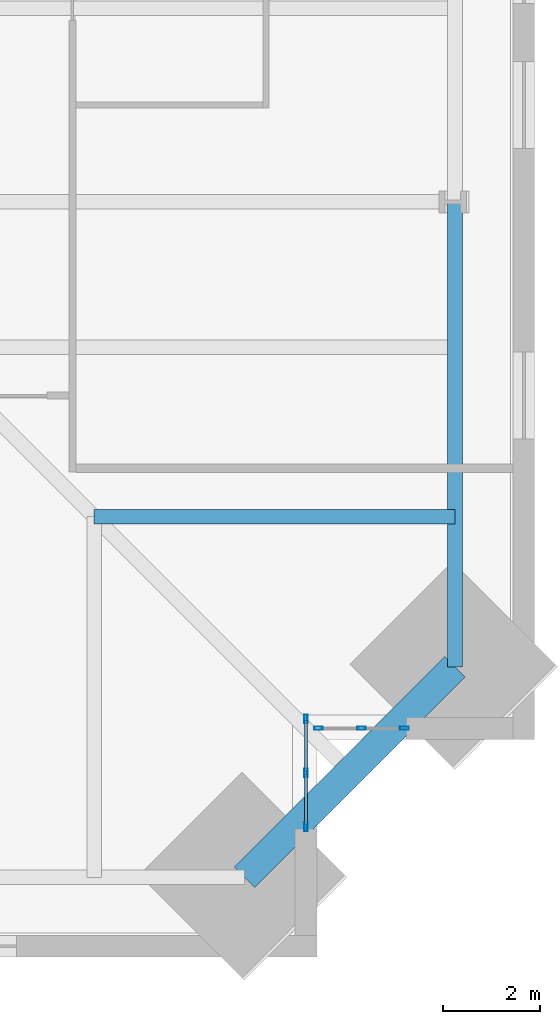
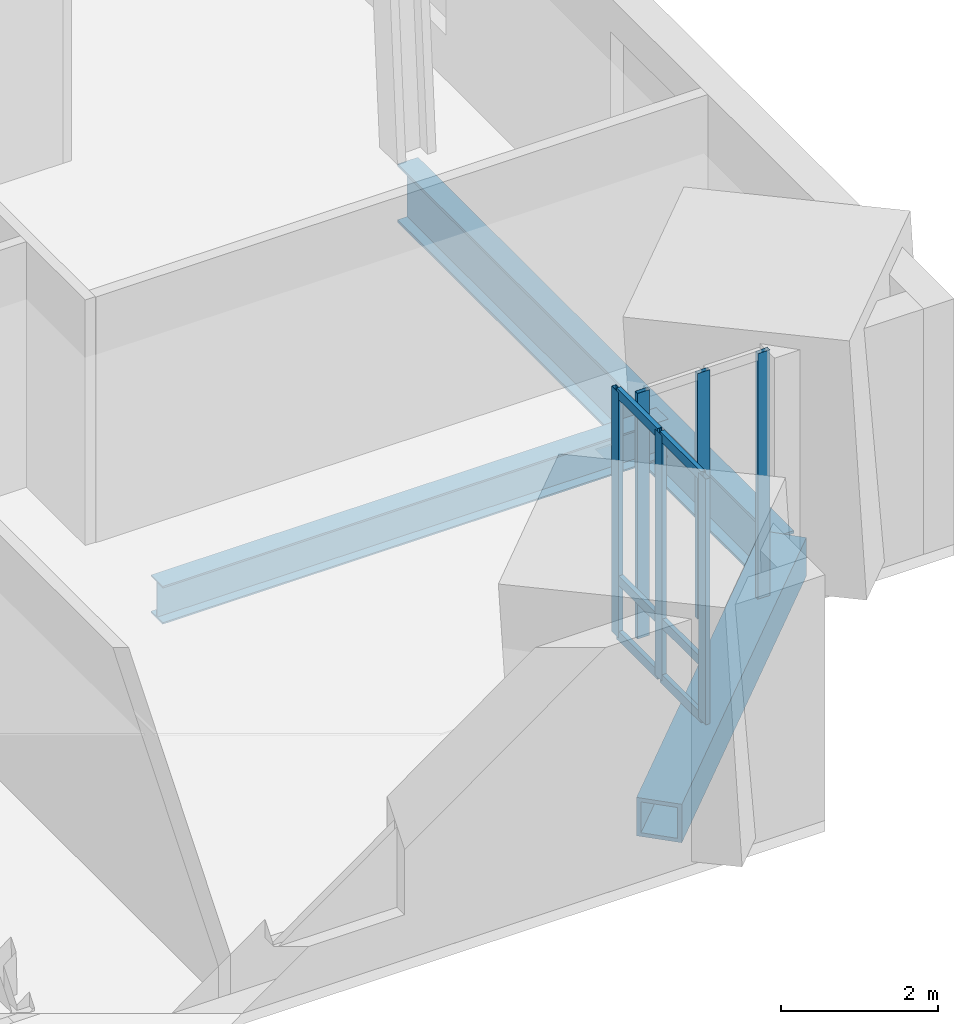
# One storey, part 4 of 14: 12 members, 3 beams, 2 elements without a shape of their own.
"""IFC4 building model written with IfcOpenShell, lengths in metres."""

from ifc_helpers import new_model, si_unit, direction, frame, origin, origin_2d, place, context, subcontext, project, spatial, hollow_rectangle, i_section, extrude, material, material_profile, profile_set, type_object, element, aggregate, save


model = new_model("IFC4")

# Units and contexts
model_context = context("Model", 3, precision=1e-05, world=origin(), true_north=direction((0.0, 1.0)))
body_context = subcontext(model_context, "Body", "Model", "MODEL_VIEW")
ifc_project = project(units=[si_unit("LENGTHUNIT", "METRE"), si_unit("AREAUNIT", "SQUARE_METRE"), si_unit("VOLUMEUNIT", "CUBIC_METRE"), si_unit("PLANEANGLEUNIT", "RADIAN"), si_unit("MASSUNIT", "GRAM", prefix="KILO")], contexts=[model_context])

# Site, building, storey
site_placement = place(None, origin())
site = spatial("IfcSite", under=ifc_project, at=site_placement, CompositionType="ELEMENT")
building_placement = place(site_placement, origin())
building = spatial("IfcBuilding", under=site, at=building_placement, Name="Peilmerk Tower", CompositionType="ELEMENT")
storey_placement = place(building_placement, frame((0.0, 0.0, 221.800048828125)))
storey = spatial("IfcBuildingStorey", under=building, at=storey_placement, Name="L48", CompositionType="ELEMENT", Elevation=221.800048828125)

# Beams
ifc_material_1 = material(Name="Steel S355", Category="steel")
ifc_material_profile_1 = material_profile(ifc_material_1, i_section(OverallWidth=0.302001953125, OverallDepth=0.909912109375, WebThickness=0.02099609375, FlangeThickness=0.0400390625, at=origin_2d()), Name="HEM 900")
ifc_profile_set_1 = profile_set([ifc_material_profile_1], Name="Steel S355")
beam_type_1 = type_object("IfcBeamType", Name="B2 HEM 900 edge beam", PredefinedType="SPANDREL", material=ifc_profile_set_1)
beam_1_placement = place(storey_placement, frame((21.953125, -17.603271484375, -0.625), z_axis=(0.0, 1.0, 0.0), x_axis=(-1.0, 0.0, 0.0)))
element("IfcBeam", 1, at=beam_1_placement, inside=storey, type_object=beam_type_1, Name="Edge beam L48", PredefinedType="SPANDREL", context=body_context, shape_type="SweptSolid", body=[
    extrude(i_section(OverallWidth=0.302001953125, OverallDepth=0.909912109375, WebThickness=0.02099609375, FlangeThickness=0.0400390625, at=origin_2d()), origin(), (0.0, 0.0, 1.0), 9.603271484375),
])
ifc_material_2 = material(Name="Steel S460", Category="steel")
ifc_material_profile_2 = material_profile(ifc_material_2, hollow_rectangle(XDim=0.60009765625, YDim=0.60009765625, WallThickness=0.06005859375, at=origin_2d()), Name="BOX 600x600x60")
ifc_profile_set_2 = profile_set([ifc_material_profile_2], Name="Steel S460")
beam_type_2 = type_object("IfcBeamType", Name="B20 BOX 600x600x60 notch beam", PredefinedType="SPANDREL", material=ifc_profile_set_2)
beam_2_placement = place(storey_placement, frame((21.953125, -17.603271484375, -0.469970703125), z_axis=(-0.707106781187, -0.707106781187, 0.0), x_axis=(0.707106781187, -0.707106781187, 0.0)))
element("IfcBeam", 2, at=beam_2_placement, inside=storey, type_object=beam_type_2, Name="Notch beam L48", PredefinedType="SPANDREL", context=body_context, shape_type="SweptSolid", body=[
    extrude(hollow_rectangle(XDim=0.60009765625, YDim=0.60009765625, WallThickness=0.06005859375, at=origin_2d()), origin(), (0.0, 0.0, 1.0), 6.151611328125),
])
ifc_material_profile_3 = material_profile(ifc_material_1, i_section(OverallWidth=0.300048828125, OverallDepth=0.590087890625, WebThickness=0.012939453125, FlangeThickness=0.02490234375, at=origin_2d()), Name="HEA 600")
ifc_profile_set_3 = profile_set([ifc_material_profile_3], Name="Steel S355")
beam_type_3 = type_object("IfcBeamType", Name="B27 HEA 600 floor beam", PredefinedType="BEAM", material=ifc_profile_set_3)
beam_3_placement = place(storey_placement, frame((14.5, -14.5, -0.465087890625), z_axis=(1.0, 0.0, 0.0), x_axis=(0.0, 1.0, 0.0)))
element("IfcBeam", 3, at=beam_3_placement, inside=storey, type_object=beam_type_3, Name="Floor beam L48", PredefinedType="BEAM", context=body_context, shape_type="SweptSolid", body=[
    extrude(i_section(OverallWidth=0.300048828125, OverallDepth=0.590087890625, WebThickness=0.012939453125, FlangeThickness=0.02490234375, at=origin_2d()), origin(), (0.0, 0.0, 1.0), 7.453125),
])

# Curtain wall, members
ifc_material_3 = material(Name="Aluminium stick curtain wall", Category="aluminium")
curtain_wall_type = type_object("IfcCurtainWallType", Name="CW4 stick curtain wall, 2250 module", PredefinedType="NOTDEFINED", material=ifc_material_3)
curtain_wall_1_placement = place(storey_placement, origin())
curtain_wall_1 = element("IfcCurtainWall", 4, at=curtain_wall_1_placement, inside=storey, type_object=curtain_wall_type, Name="Curtain wall CW4 SEA L48", PredefinedType="NOTDEFINED")
ifc_material_4 = material(Name="Aluminium EN AW-6063 T6", Category="aluminium")
ifc_material_profile_4 = material_profile(ifc_material_4, hollow_rectangle(XDim=0.06494140625, YDim=0.179931640625, WallThickness=0.0029296875, at=origin_2d()), Name="AL 180x65x3")
ifc_profile_set_4 = profile_set([ifc_material_profile_4], Name="Aluminium EN AW-6063 T6")
member_type_1 = type_object("IfcMemberType", Name="CW4-M AL 180x65x3 mullion", PredefinedType="MULLION", material=ifc_profile_set_4)
member_1_placement = place(storey_placement, frame((18.875, -18.6826171875, 0.0), z_axis=(0.0, 0.0, 1.0), x_axis=(1.0, 0.0, 0.0)))
member_1 = element("IfcMember", 5, at=member_1_placement, type_object=member_type_1, Name="CW4 mullion 1", PredefinedType="MULLION", context=body_context, shape_type="SweptSolid", body=[
    extrude(hollow_rectangle(XDim=0.06494140625, YDim=0.179931640625, WallThickness=0.0029296875, at=origin_2d()), origin(), (0.0, 0.0, 1.0), 3.829833984375),
])
member_2_placement = place(storey_placement, frame((18.875, -19.79443359375, 0.0), z_axis=(0.0, 0.0, 1.0), x_axis=(1.0, 0.0, 0.0)))
member_2 = element("IfcMember", 6, at=member_2_placement, type_object=member_type_1, Name="CW4 mullion 2", PredefinedType="MULLION", context=body_context, shape_type="SweptSolid", body=[
    extrude(hollow_rectangle(XDim=0.06494140625, YDim=0.179931640625, WallThickness=0.0029296875, at=origin_2d()), origin(), (0.0, 0.0, 1.0), 3.829833984375),
])
member_3_placement = place(storey_placement, frame((18.875, -20.90625, 0.0), z_axis=(0.0, 0.0, 1.0), x_axis=(1.0, 0.0, 0.0)))
member_3 = element("IfcMember", 7, at=member_3_placement, type_object=member_type_1, Name="CW4 mullion 3", PredefinedType="MULLION", context=body_context, shape_type="SweptSolid", body=[
    extrude(hollow_rectangle(XDim=0.06494140625, YDim=0.179931640625, WallThickness=0.0029296875, at=origin_2d()), origin(), (0.0, 0.0, 1.0), 3.829833984375),
])

curtain_wall_2_placement = place(storey_placement, origin())
curtain_wall_2 = element("IfcCurtainWall", 8, at=curtain_wall_2_placement, inside=storey, type_object=curtain_wall_type, Name="Curtain wall CW4 SEB L48", PredefinedType="NOTDEFINED")
member_4_placement = place(storey_placement, frame((19.132568359375, -18.875, 0.0), z_axis=(0.0, 0.0, 1.0), x_axis=(0.0, 1.0, 0.0)))
member_4 = element("IfcMember", 9, at=member_4_placement, type_object=member_type_1, Name="CW4 mullion 1", PredefinedType="MULLION", context=body_context, shape_type="SweptSolid", body=[
    extrude(hollow_rectangle(XDim=0.06494140625, YDim=0.179931640625, WallThickness=0.0029296875, at=origin_2d()), origin(), (0.0, 0.0, 1.0), 3.829833984375),
])
member_5_placement = place(storey_placement, frame((20.019287109375, -18.875, 0.0), z_axis=(0.0, 0.0, 1.0), x_axis=(0.0, 1.0, 0.0)))
member_5 = element("IfcMember", 10, at=member_5_placement, type_object=member_type_1, Name="CW4 mullion 2", PredefinedType="MULLION", context=body_context, shape_type="SweptSolid", body=[
    extrude(hollow_rectangle(XDim=0.06494140625, YDim=0.179931640625, WallThickness=0.0029296875, at=origin_2d()), origin(), (0.0, 0.0, 1.0), 3.829833984375),
])
member_6_placement = place(storey_placement, frame((20.90625, -18.875, 0.0), z_axis=(0.0, 0.0, 1.0), x_axis=(0.0, 1.0, 0.0)))
member_6 = element("IfcMember", 11, at=member_6_placement, type_object=member_type_1, Name="CW4 mullion 3", PredefinedType="MULLION", context=body_context, shape_type="SweptSolid", body=[
    extrude(hollow_rectangle(XDim=0.06494140625, YDim=0.179931640625, WallThickness=0.0029296875, at=origin_2d()), origin(), (0.0, 0.0, 1.0), 3.829833984375),
])
aggregate(curtain_wall_2, [member_4, member_5, member_6])

# Member
ifc_material_profile_5 = material_profile(ifc_material_4, hollow_rectangle(XDim=0.06494140625, YDim=0.14990234375, WallThickness=0.0029296875, at=origin_2d()), Name="AL 150x65x3")
ifc_profile_set_5 = profile_set([ifc_material_profile_5], Name="Aluminium EN AW-6063 T6")
member_type_2 = type_object("IfcMemberType", Name="CW4-T AL 150x65x3 transom", PredefinedType="USERDEFINED", material=ifc_profile_set_5)
member_7_placement = place(storey_placement, frame((18.875, -18.715087890625, 0.032470703125), z_axis=(0.0, -1.0, 0.0), x_axis=(1.0, 0.0, 0.0)))
member_7 = element("IfcMember", 12, at=member_7_placement, type_object=member_type_2, Name="CW4 transom 1.1", ObjectType="TRANSOM", PredefinedType="USERDEFINED", context=body_context, shape_type="SweptSolid", body=[
    extrude(hollow_rectangle(XDim=0.06494140625, YDim=0.14990234375, WallThickness=0.0029296875, at=origin_2d()), origin(), (0.0, 0.0, 1.0), 1.046630859375),
])

member_8_placement = place(storey_placement, frame((18.875, -18.715087890625, 0.89990234375), z_axis=(0.0, -1.0, 0.0), x_axis=(1.0, 0.0, 0.0)))
member_8 = element("IfcMember", 13, at=member_8_placement, type_object=member_type_2, Name="CW4 transom 1.2", ObjectType="TRANSOM", PredefinedType="USERDEFINED", context=body_context, shape_type="SweptSolid", body=[
    extrude(hollow_rectangle(XDim=0.06494140625, YDim=0.14990234375, WallThickness=0.0029296875, at=origin_2d()), origin(), (0.0, 0.0, 1.0), 1.046630859375),
])

member_9_placement = place(storey_placement, frame((18.875, -18.715087890625, 3.79736328125), z_axis=(0.0, -1.0, 0.0), x_axis=(1.0, 0.0, 0.0)))
member_9 = element("IfcMember", 14, at=member_9_placement, type_object=member_type_2, Name="CW4 transom 1.3", ObjectType="TRANSOM", PredefinedType="USERDEFINED", context=body_context, shape_type="SweptSolid", body=[
    extrude(hollow_rectangle(XDim=0.06494140625, YDim=0.14990234375, WallThickness=0.0029296875, at=origin_2d()), origin(), (0.0, 0.0, 1.0), 1.046630859375),
])

member_10_placement = place(storey_placement, frame((18.875, -19.826904296875, 0.032470703125), z_axis=(0.0, -1.0, 0.0), x_axis=(1.0, 0.0, 0.0)))
member_10 = element("IfcMember", 15, at=member_10_placement, type_object=member_type_2, Name="CW4 transom 2.1", ObjectType="TRANSOM", PredefinedType="USERDEFINED", context=body_context, shape_type="SweptSolid", body=[
    extrude(hollow_rectangle(XDim=0.06494140625, YDim=0.14990234375, WallThickness=0.0029296875, at=origin_2d()), origin(), (0.0, 0.0, 1.0), 1.046875),
])

member_11_placement = place(storey_placement, frame((18.875, -19.826904296875, 0.89990234375), z_axis=(0.0, -1.0, 0.0), x_axis=(1.0, 0.0, 0.0)))
member_11 = element("IfcMember", 16, at=member_11_placement, type_object=member_type_2, Name="CW4 transom 2.2", ObjectType="TRANSOM", PredefinedType="USERDEFINED", context=body_context, shape_type="SweptSolid", body=[
    extrude(hollow_rectangle(XDim=0.06494140625, YDim=0.14990234375, WallThickness=0.0029296875, at=origin_2d()), origin(), (0.0, 0.0, 1.0), 1.046875),
])

member_12_placement = place(storey_placement, frame((18.875, -19.826904296875, 3.79736328125), z_axis=(0.0, -1.0, 0.0), x_axis=(1.0, 0.0, 0.0)))
member_12 = element("IfcMember", 17, at=member_12_placement, type_object=member_type_2, Name="CW4 transom 2.3", ObjectType="TRANSOM", PredefinedType="USERDEFINED", context=body_context, shape_type="SweptSolid", body=[
    extrude(hollow_rectangle(XDim=0.06494140625, YDim=0.14990234375, WallThickness=0.0029296875, at=origin_2d()), origin(), (0.0, 0.0, 1.0), 1.046875),
])

aggregate(curtain_wall_1, [member_1, member_2, member_3, member_7, member_8, member_9, member_10, member_11, member_12])

save(model, "model.ifc")
